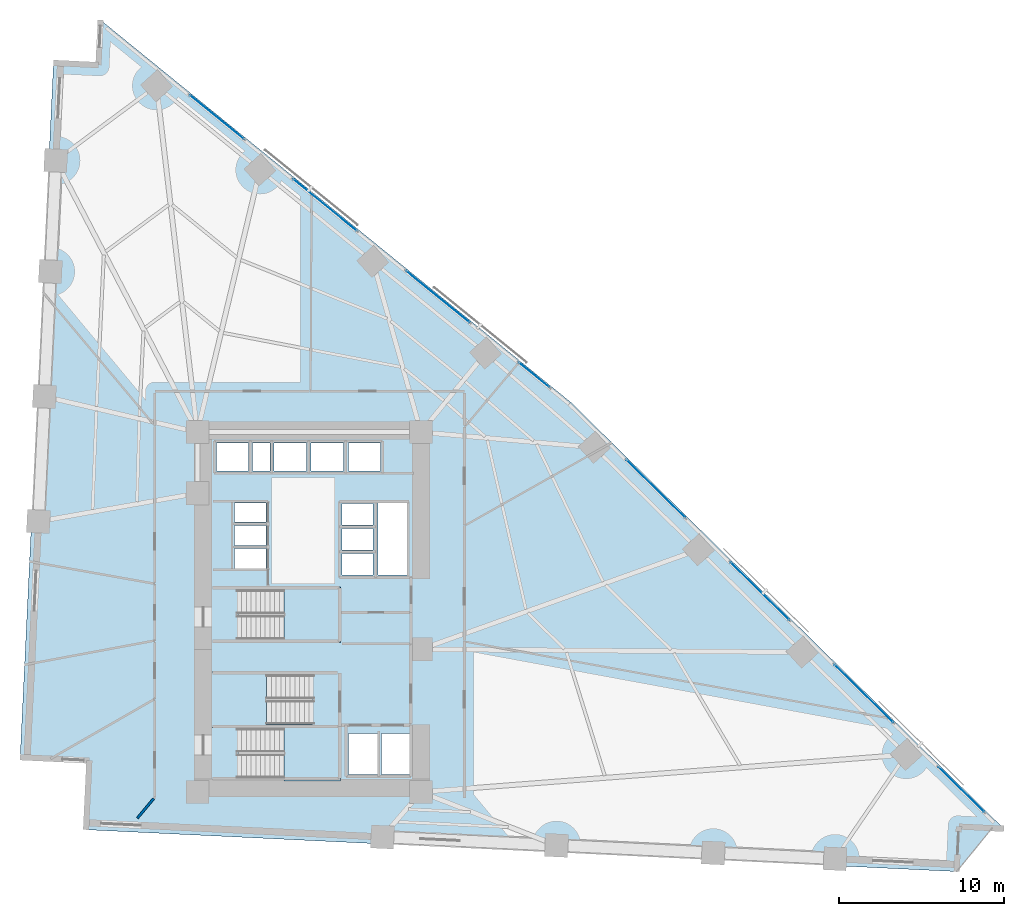
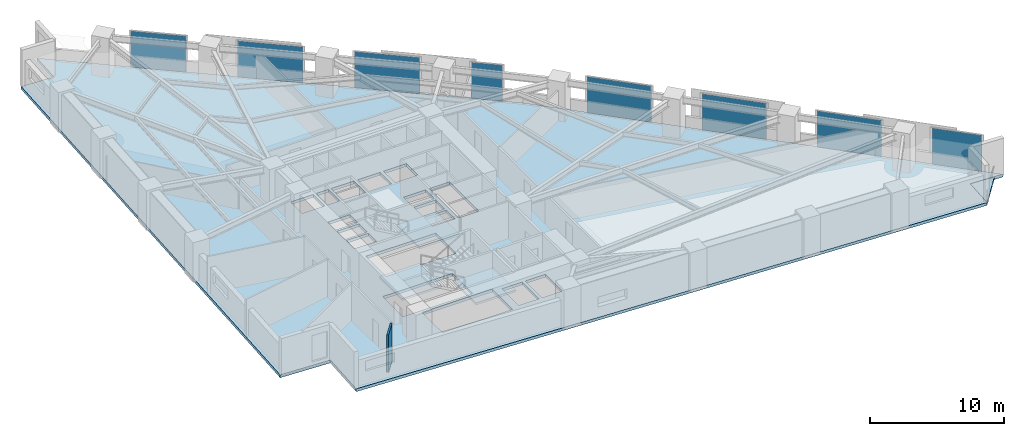
# One storey, part 12 of 17: 8 plates, 5 slabs, 1 wall, 11 elements without a shape of their own.
"""IFC4 building model written with IfcOpenShell, lengths in metres."""

from ifc_helpers import new_model, si_unit, direction, frame, frame_2d, origin, origin_2d, place, context, subcontext, project, spatial, polyline, rectangle, outline, extrude, material, layer, layer_set, type_object, element, aggregate, save


model = new_model("IFC4")

# Units and contexts
model_context = context("Model", 3, precision=1e-05, world=origin(), true_north=direction((0.0, 1.0)))
body_context = subcontext(model_context, "Body", "Model", "MODEL_VIEW")
ifc_project = project(units=[si_unit("LENGTHUNIT", "METRE"), si_unit("AREAUNIT", "SQUARE_METRE"), si_unit("VOLUMEUNIT", "CUBIC_METRE"), si_unit("PLANEANGLEUNIT", "RADIAN"), si_unit("MASSUNIT", "GRAM", prefix="KILO")], contexts=[model_context])

# Site, building, storey
site_placement = place(None, origin())
site = spatial("IfcSite", under=ifc_project, at=site_placement, CompositionType="ELEMENT")
building_placement = place(site_placement, origin())
building = spatial("IfcBuilding", under=site, at=building_placement, Name="Narakoshi Arena Tower", CompositionType="ELEMENT")
storey_placement = place(building_placement, frame((0.0, 0.0, 37.5)))
storey = spatial("IfcBuildingStorey", under=building, at=storey_placement, Name="L09", CompositionType="ELEMENT", Elevation=37.5)

# Curtain wall, plate
ifc_material_1 = material(Name="Anodised bronze aluminium 6063-T6", Category="aluminium")
curtain_wall_type = type_object("IfcCurtainWallType", Name="CW-HYP-LOW", PredefinedType="NOTDEFINED", material=ifc_material_1)
curtain_wall_1_placement = place(storey_placement, origin())
curtain_wall_1 = element("IfcCurtainWall", 1, at=curtain_wall_1_placement, inside=storey, type_object=curtain_wall_type, Name="L09 Folded Hypotenuse Curtain Wall 1-1", PredefinedType="NOTDEFINED")
ifc_material_2 = material(Name="Bronze-tinted low-E laminated glass", Category="glass")
ifc_layer_1 = layer(ifc_material_2, 0.031982421875)
ifc_layer_set_1 = layer_set([ifc_layer_1], Name="Bronze-tinted low-E laminated glass")
plate_type = type_object("IfcPlateType", Name="PLT-GLZ-32", PredefinedType="CURTAIN_PANEL", material=ifc_layer_set_1)
plate_1_placement = place(storey_placement, frame((118.277587890625, 34.8505859375, 0.06494140625), z_axis=(0.0, 0.0, 1.0), x_axis=(-0.712541277695, 0.701630192894, 0.0)))
plate_1 = element("IfcPlate", 2, at=plate_1_placement, type_object=plate_type, Name="CW-01 panel 1.1", PredefinedType="CURTAIN_PANEL", context=body_context, shape_type="SweptSolid", body=[
    extrude(rectangle(XDim=3.85498046875, YDim=0.031982421875, at=origin_2d()), origin(), (0.0, 0.0, 1.0), 3.27001953125),
])
aggregate(curtain_wall_1, [plate_1])

curtain_wall_2_placement = place(storey_placement, origin())
curtain_wall_2 = element("IfcCurtainWall", 3, at=curtain_wall_2_placement, inside=storey, type_object=curtain_wall_type, Name="L09 Folded Hypotenuse Curtain Wall 1-2", PredefinedType="NOTDEFINED")
plate_2_placement = place(storey_placement, frame((112.375, 40.66259765625, 0.06494140625), z_axis=(0.0, 0.0, 1.0), x_axis=(-0.712548329451, 0.701623031404, 0.0)))
plate_2 = element("IfcPlate", 4, at=plate_2_placement, type_object=plate_type, Name="CW-01 panel 1.1", PredefinedType="CURTAIN_PANEL", context=body_context, shape_type="SweptSolid", body=[
    extrude(rectangle(XDim=4.966552734375, YDim=0.031982421875, at=origin_2d()), origin(), (0.0, 0.0, 1.0), 3.27001953125),
])
aggregate(curtain_wall_2, [plate_2])

curtain_wall_3_placement = place(storey_placement, origin())
curtain_wall_3 = element("IfcCurtainWall", 5, at=curtain_wall_3_placement, inside=storey, type_object=curtain_wall_type, Name="L09 Folded Hypotenuse Curtain Wall 1-3", PredefinedType="NOTDEFINED")
plate_3_placement = place(storey_placement, frame((106.07666015625, 46.864501953125, 0.06494140625), z_axis=(0.0, 0.0, 1.0), x_axis=(-0.712538708053, 0.701632802488, 0.0)))
plate_3 = element("IfcPlate", 6, at=plate_3_placement, type_object=plate_type, Name="CW-01 panel 1.1", PredefinedType="CURTAIN_PANEL", context=body_context, shape_type="SweptSolid", body=[
    extrude(rectangle(XDim=4.966552734375, YDim=0.031982421875, at=origin_2d()), origin(), (0.0, 0.0, 1.0), 3.27001953125),
])
aggregate(curtain_wall_3, [plate_3])

curtain_wall_4_placement = place(storey_placement, origin())
curtain_wall_4 = element("IfcCurtainWall", 7, at=curtain_wall_4_placement, inside=storey, type_object=curtain_wall_type, Name="L09 Folded Hypotenuse Curtain Wall 1-4", PredefinedType="NOTDEFINED")
plate_4_placement = place(storey_placement, frame((99.7783203125, 53.06640625, 0.06494140625), z_axis=(0.0, 0.0, 1.0), x_axis=(-0.712538708053, 0.701632802488, 0.0)))
plate_4 = element("IfcPlate", 8, at=plate_4_placement, type_object=plate_type, Name="CW-01 panel 1.1", PredefinedType="CURTAIN_PANEL", context=body_context, shape_type="SweptSolid", body=[
    extrude(rectangle(XDim=4.966552734375, YDim=0.031982421875, at=origin_2d()), origin(), (0.0, 0.0, 1.0), 3.27001953125),
])
aggregate(curtain_wall_4, [plate_4])

curtain_wall_5_placement = place(storey_placement, origin())
curtain_wall_5 = element("IfcCurtainWall", 9, at=curtain_wall_5_placement, inside=storey, type_object=curtain_wall_type, Name="L09 Folded Hypotenuse Curtain Wall 2-1", PredefinedType="NOTDEFINED")
plate_5_placement = place(storey_placement, frame((92.40087890625, 59.964111328125, 0.06494140625), z_axis=(0.0, 0.0, 1.0), x_axis=(-0.776007918256, 0.63072316495, 0.0)))
plate_5 = element("IfcPlate", 10, at=plate_5_placement, type_object=plate_type, Name="CW-01 panel 1.1", PredefinedType="CURTAIN_PANEL", context=body_context, shape_type="SweptSolid", body=[
    extrude(rectangle(XDim=2.35888671875, YDim=0.031982421875, at=origin_2d()), origin(), (0.0, 0.0, 1.0), 3.27001953125),
])
aggregate(curtain_wall_5, [plate_5])

curtain_wall_6_placement = place(storey_placement, origin())
curtain_wall_6 = element("IfcCurtainWall", 11, at=curtain_wall_6_placement, inside=storey, type_object=curtain_wall_type, Name="L09 Folded Hypotenuse Curtain Wall 2-2", PredefinedType="NOTDEFINED")
plate_6_placement = place(storey_placement, frame((86.566650390625, 64.7060546875, 0.06494140625), z_axis=(0.0, 0.0, 1.0), x_axis=(-0.775998434519, 0.630734833051, 0.0)))
plate_6 = element("IfcPlate", 12, at=plate_6_placement, type_object=plate_type, Name="CW-01 panel 1.1", PredefinedType="CURTAIN_PANEL", context=body_context, shape_type="SweptSolid", body=[
    extrude(rectangle(XDim=4.932373046875, YDim=0.031982421875, at=origin_2d()), origin(), (0.0, 0.0, 1.0), 3.27001953125),
])
aggregate(curtain_wall_6, [plate_6])

curtain_wall_7_placement = place(storey_placement, origin())
curtain_wall_7 = element("IfcCurtainWall", 13, at=curtain_wall_7_placement, inside=storey, type_object=curtain_wall_type, Name="L09 Folded Hypotenuse Curtain Wall 2-3", PredefinedType="NOTDEFINED")
plate_7_placement = place(storey_placement, frame((79.73388671875, 70.259765625, 0.06494140625), z_axis=(0.0, 0.0, 1.0), x_axis=(-0.776008064665, 0.630722984816, 0.0)))
plate_7 = element("IfcPlate", 14, at=plate_7_placement, type_object=plate_type, Name="CW-01 panel 1.1", PredefinedType="CURTAIN_PANEL", context=body_context, shape_type="SweptSolid", body=[
    extrude(rectangle(XDim=4.932373046875, YDim=0.031982421875, at=origin_2d()), origin(), (0.0, 0.0, 1.0), 3.27001953125),
])
aggregate(curtain_wall_7, [plate_7])

curtain_wall_8_placement = place(storey_placement, origin())
curtain_wall_8 = element("IfcCurtainWall", 15, at=curtain_wall_8_placement, inside=storey, type_object=curtain_wall_type, Name="L09 Folded Hypotenuse Curtain Wall 2-4", PredefinedType="NOTDEFINED")
plate_8_placement = place(storey_placement, frame((73.18603515625, 75.58203125, 0.06494140625), z_axis=(0.0, 0.0, 1.0), x_axis=(-0.775999332044, 0.630733728817, 0.0)))
plate_8 = element("IfcPlate", 16, at=plate_8_placement, type_object=plate_type, Name="CW-01 panel 1.1", PredefinedType="CURTAIN_PANEL", context=body_context, shape_type="SweptSolid", body=[
    extrude(rectangle(XDim=4.198486328125, YDim=0.031982421875, at=origin_2d()), origin(), (0.0, 0.0, 1.0), 3.27001953125),
])
aggregate(curtain_wall_8, [plate_8])

# Stair, slab
ifc_material_3 = material(Name="Concrete C45/55", Category="concrete")
stair_type = type_object("IfcStairType", Name="STR-CORE-360", PredefinedType="TWO_STRAIGHT_RUN_STAIR", material=ifc_material_3)
stair_1_placement = place(storey_placement, origin())
stair_1 = element("IfcStair", 17, at=stair_1_placement, inside=storey, type_object=stair_type, Name="L09 Core Escape Stair ST1", PredefinedType="TWO_STRAIGHT_RUN_STAIR")
ifc_layer_2 = layer(ifc_material_3, 0.18994140625)
ifc_layer_set_2 = layer_set([ifc_layer_2], Name="Concrete C45/55")
slab_type_1 = type_object("IfcSlabType", Name="SLB-LND-190", PredefinedType="LANDING", material=ifc_layer_set_2)
slab_1_placement = place(storey_placement, frame((0.0, 0.0, 1.610107421875)))
slab_1 = element("IfcSlab", 18, at=slab_1_placement, type_object=slab_type_1, Name="ST1 landing 1", PredefinedType="LANDING", context=body_context, shape_type="SweptSolid", body=[
    extrude(outline(polyline([(77.25, 35.3701171875), (80.679931640625, 35.3701171875), (80.679931640625, 38.72998046875), (77.25, 38.72998046875), (77.25, 35.3701171875)])), origin(), (0.0, 0.0, 1.0), 0.18994140625),
])
aggregate(stair_1, [slab_1])

stair_2_placement = place(storey_placement, origin())
stair_2 = element("IfcStair", 19, at=stair_2_placement, inside=storey, type_object=stair_type, Name="L09 Core Escape Stair ST2", PredefinedType="TWO_STRAIGHT_RUN_STAIR")
slab_2_placement = place(storey_placement, frame((0.0, 0.0, 1.610107421875)))
slab_2 = element("IfcSlab", 20, at=slab_2_placement, type_object=slab_type_1, Name="ST2 landing 1", PredefinedType="LANDING", context=body_context, shape_type="SweptSolid", body=[
    extrude(outline(polyline([(72.77001953125, 38.6201171875), (76.199951171875, 38.6201171875), (76.199951171875, 41.97998046875), (72.77001953125, 41.97998046875), (72.77001953125, 38.6201171875)])), origin(), (0.0, 0.0, 1.0), 0.18994140625),
])
aggregate(stair_2, [slab_2])

stair_3_placement = place(storey_placement, origin())
stair_3 = element("IfcStair", 21, at=stair_3_placement, inside=storey, type_object=stair_type, Name="L09 Core Escape Stair ST3", PredefinedType="TWO_STRAIGHT_RUN_STAIR")
slab_3_placement = place(storey_placement, frame((0.0, 0.0, 1.610107421875)))
slab_3 = element("IfcSlab", 22, at=slab_3_placement, type_object=slab_type_1, Name="ST3 landing 1", PredefinedType="LANDING", context=body_context, shape_type="SweptSolid", body=[
    extrude(outline(polyline([(77.25, 43.77001953125), (80.679931640625, 43.77001953125), (80.679931640625, 47.1298828125), (77.25, 47.1298828125), (77.25, 43.77001953125)])), origin(), (0.0, 0.0, 1.0), 0.18994140625),
])
aggregate(stair_3, [slab_3])

# Slabs
ifc_material_4 = material(Name="Concrete C50/60", Category="concrete")
ifc_layer_3 = layer(ifc_material_4, 0.260009765625)
ifc_layer_set_3 = layer_set([ifc_layer_3], Name="Concrete C50/60")
slab_type_2 = type_object("IfcSlabType", Name="SLB-SKY-260", PredefinedType="FLOOR", material=ifc_layer_set_3)
slab_4_placement = place(storey_placement, frame((0.0, 0.0, -0.260009765625)))
element("IfcSlab", 23, at=slab_4_placement, inside=storey, type_object=slab_type_2, Name="L09 Structural Floor Slab", PredefinedType="FLOOR", context=body_context, shape_type="SweptSolid", body=[
    extrude(outline(polyline([(65.26025390625, 32.416015625), (117.99951171875, 29.8828125), (118.130615234375, 32.609619140625), (120.857421875, 32.478515625), (94.614013671875, 58.31982421875), (66.144287109375, 81.4599609375), (66.013427734375, 78.733154296875), (63.28662109375, 78.8642578125), (61.2666015625, 36.8125), (65.4619140625, 36.611083984375), (65.26025390625, 32.416015625)]), holes=[polyline([(74.47998046875, 35.550048828125), (74.47998046875, 38.550048828125), (80.5, 38.550048828125), (80.5, 35.550048828125), (74.47998046875, 35.550048828125)]), polyline([(81.14990234375, 35.75), (81.14990234375, 38.25), (82.89990234375, 38.25), (82.89990234375, 35.75), (81.14990234375, 35.75)]), polyline([(83.14990234375, 35.75), (83.14990234375, 38.25), (84.89990234375, 38.25), (84.89990234375, 35.75), (83.14990234375, 35.75)]), polyline([(72.949951171875, 38.800048828125), (72.949951171875, 41.800048828125), (78.969970703125, 41.800048828125), (78.969970703125, 38.800048828125), (72.949951171875, 38.800048828125)]), polyline([(74.47998046875, 43.949951171875), (74.47998046875, 46.949951171875), (80.5, 46.949951171875), (80.5, 43.949951171875), (74.47998046875, 43.949951171875)]), polyline([(82.949951171875, 47.840087890625), (82.949951171875, 52.199951171875), (84.699951171875, 52.199951171875), (84.699951171875, 47.840087890625), (82.949951171875, 47.840087890625)]), polyline([(80.75, 47.85009765625), (80.75, 49.14990234375), (82.64990234375, 49.14990234375), (82.64990234375, 47.85009765625), (80.75, 47.85009765625)]), polyline([(74.25, 48.25), (74.25, 49.449951171875), (76.14990234375, 49.449951171875), (76.14990234375, 48.25), (74.25, 48.25)]), polyline([(80.75, 49.3701171875), (80.75, 50.669921875), (82.64990234375, 50.669921875), (82.64990234375, 49.3701171875), (80.75, 49.3701171875)]), polyline([(74.25, 49.64990234375), (74.25, 50.85009765625), (76.14990234375, 50.85009765625), (76.14990234375, 49.64990234375), (74.25, 49.64990234375)]), polyline([(80.75, 50.889892578125), (80.75, 52.18994140625), (82.64990234375, 52.18994140625), (82.64990234375, 50.889892578125), (80.75, 50.889892578125)]), polyline([(74.25, 51.050048828125), (74.25, 52.2099609375), (76.14990234375, 52.2099609375), (76.14990234375, 51.050048828125), (74.25, 51.050048828125)]), polyline([(73.14990234375, 54.14990234375), (73.14990234375, 55.85009765625), (75.10009765625, 55.85009765625), (75.10009765625, 54.14990234375), (73.14990234375, 54.14990234375)]), polyline([(75.35009765625, 54.14990234375), (75.35009765625, 55.85009765625), (76.39990234375, 55.85009765625), (76.39990234375, 54.14990234375), (75.35009765625, 54.14990234375)]), polyline([(76.64990234375, 54.14990234375), (76.64990234375, 55.85009765625), (78.60009765625, 55.85009765625), (78.60009765625, 54.14990234375), (76.64990234375, 54.14990234375)]), polyline([(78.89990234375, 55.85009765625), (80.85009765625, 55.85009765625), (80.85009765625, 54.14990234375), (78.89990234375, 54.14990234375), (78.89990234375, 55.85009765625)]), polyline([(81.14990234375, 55.85009765625), (83.10009765625, 55.85009765625), (83.10009765625, 54.14990234375), (81.14990234375, 54.14990234375), (81.14990234375, 55.85009765625)])]), origin(), (0.0, 0.0, 1.0), 0.260009765625),
])
ifc_layer_4 = layer(ifc_material_3, 0.239990234375)
ifc_layer_set_4 = layer_set([ifc_layer_4], Name="Concrete C45/55")
slab_type_3 = type_object("IfcSlabType", Name="SLB-TERR-240", PredefinedType="ROOF", material=ifc_layer_set_4)
slab_5_placement = place(storey_placement, frame((0.0, 0.0, -0.239990234375)))
element("IfcSlab", 24, at=slab_5_placement, inside=storey, type_object=slab_type_3, Name="L09 Corner Notch Loggia Balcony Slab", PredefinedType="ROOF", context=body_context, shape_type="SweptSolid", body=[
    extrude(outline(polyline([(120.14697265625, 32.510986328125), (118.132080078125, 32.60791015625), (118.001953125, 29.885009765625), (120.14697265625, 32.510986328125)])), origin(), (0.0, 0.0, 1.0), 0.239990234375),
])

# Wall
ifc_material_5 = material(Name="Moisture-resistant cement-board partition")
ifc_layer_5 = layer(ifc_material_5, 0.14501953125)
ifc_layer_set_5 = layer_set([ifc_layer_5], Name="Moisture-resistant cement-board partition")
wall_type = type_object("IfcWallType", Name="WL-WET-145", PredefinedType="PARTITIONING", material=ifc_layer_set_5)
wall_placement = place(storey_placement, frame((69.367431640625, 34.317626953125, 0.0), z_axis=(0.0, 0.0, 1.0), x_axis=(-0.64072421016, -0.767771115968, 0.0)))
element("IfcWall", 25, at=wall_placement, inside=storey, type_object=wall_type, Name="L09 Room Enclosure Partition 03-1", PredefinedType="PARTITIONING", context=body_context, shape_type="SweptSolid", body=[
    extrude(rectangle(XDim=1.556640625, YDim=0.14501953125, at=frame_2d((0.7783203125, 0.0))), origin(), (0.0, 0.0, 1.0), 3.39990234375),
])

save(model, "model.ifc")
